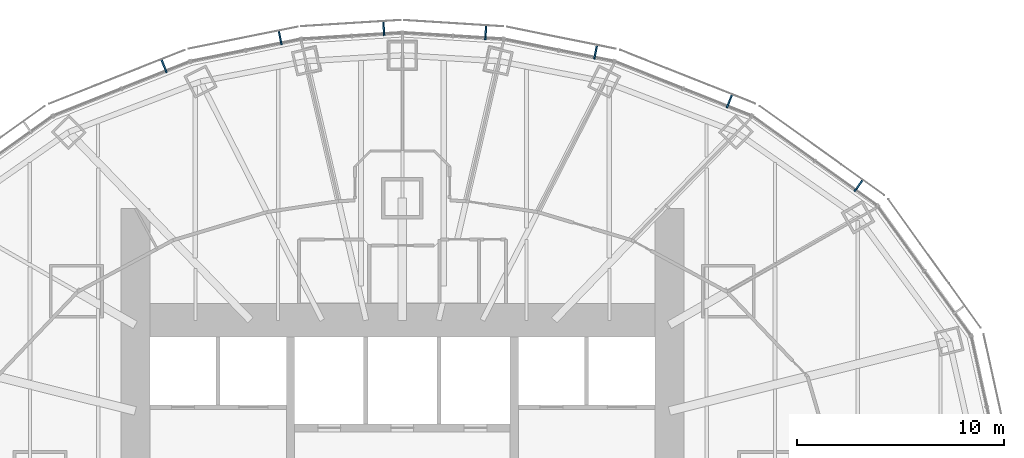
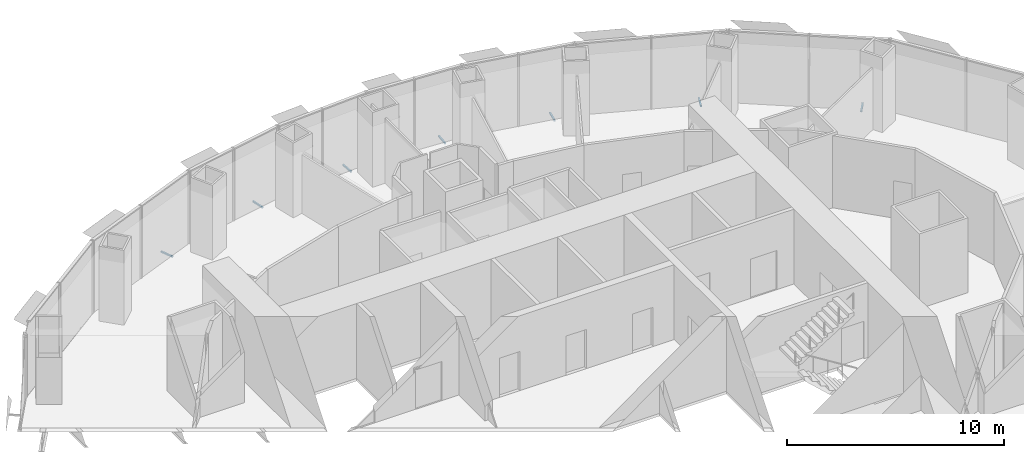
# One storey, part 15 of 18: 7 discrete accessories.
"""IFC4 building model written with IfcOpenShell, lengths in metres."""

from ifc_helpers import new_model, si_unit, direction, frame, origin, origin_2d, place, context, subcontext, project, spatial, rectangle, extrude, element, save


model = new_model("IFC4")

# Units and contexts
model_context = context("Model", 3, precision=1e-05, world=origin(), true_north=direction((0.0, 1.0)))
body_context = subcontext(model_context, "Body", "Model", "MODEL_VIEW")
ifc_project = project(units=[si_unit("LENGTHUNIT", "METRE"), si_unit("AREAUNIT", "SQUARE_METRE"), si_unit("VOLUMEUNIT", "CUBIC_METRE"), si_unit("PLANEANGLEUNIT", "RADIAN"), si_unit("MASSUNIT", "GRAM", prefix="KILO")], contexts=[model_context])

# Site, building, storey
site_placement = place(None, origin())
site = spatial("IfcSite", under=ifc_project, at=site_placement, CompositionType="ELEMENT")
building_placement = place(site_placement, origin())
building = spatial("IfcBuilding", under=site, at=building_placement, Name="Lantaw Convention Tower", CompositionType="ELEMENT")
storey_placement = place(building_placement, frame((0.0, 0.0, 184.60009765625)))
storey = spatial("IfcBuildingStorey", under=building, at=storey_placement, Name="L43", CompositionType="ELEMENT", Elevation=184.60009765625)

# Discrete accessories
for number, where, z_axis, x_axis, name in (
    (1, (22.044189453125, 14.10546875, -0.115234375), (0.0, 0.0, 1.0), (-0.813208325995, 0.581972695693, 0.0), "Screen bracket"),
    (2, (15.802978515625, 18.18798828125, -0.115234375), (0.0, 0.0, 1.0), (-0.929547687544, 0.368701907483, 0.0), "Screen bracket"),
    (3, (9.339599609375, 20.56005859375, -0.115234375), (0.0, 0.0, 1.0), (-0.980301514912, 0.197506809659, 0.0), "Screen bracket"),
    (4, (4.027099609375, 21.505859375, -0.115234375), (0.0, 0.0, 1.0), (-0.998022035978, 0.062865059466, 0.0), "Screen bracket"),
    (5, (-0.89794921875, 21.702880859375, -0.115234375), (0.0, 0.0, 1.0), (-0.998022035978, -0.062865059466, 0.0), "Screen bracket"),
    (6, (-5.903076171875, 21.25244140625, -0.115234375), (0.0, 0.0, 1.0), (-0.980301514912, -0.197506809659, 0.0), "Screen bracket"),
    (7, (-11.517822265625, 19.887939453125, -0.115234375), (0.0, 0.0, 1.0), (-0.929547687544, -0.368701907483, 0.0), "Screen bracket"),
):
    element("IfcDiscreteAccessory", number, at=place(storey_placement, frame(where, z_axis=z_axis, x_axis=x_axis)), inside=storey, Name=name, PredefinedType="BRACKET", context=body_context, shape_type="SweptSolid", body=[
        extrude(rectangle(XDim=0.080078125, YDim=0.68798828125, at=origin_2d()), origin(), (0.0, 0.0, 1.0), 0.080078125),
    ])

save(model, "model.ifc")
